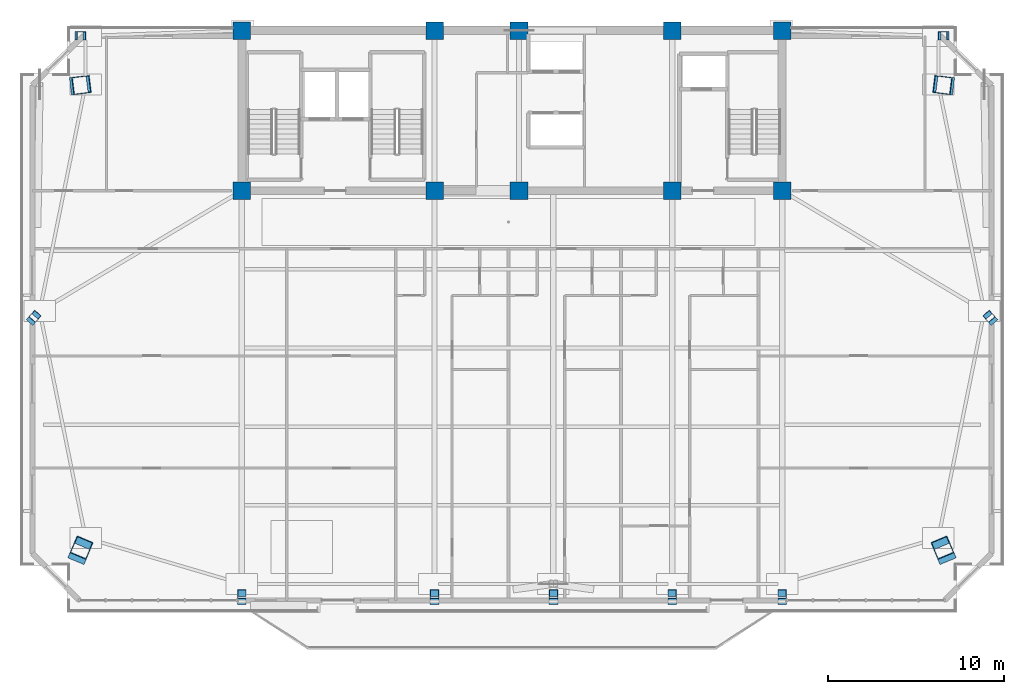
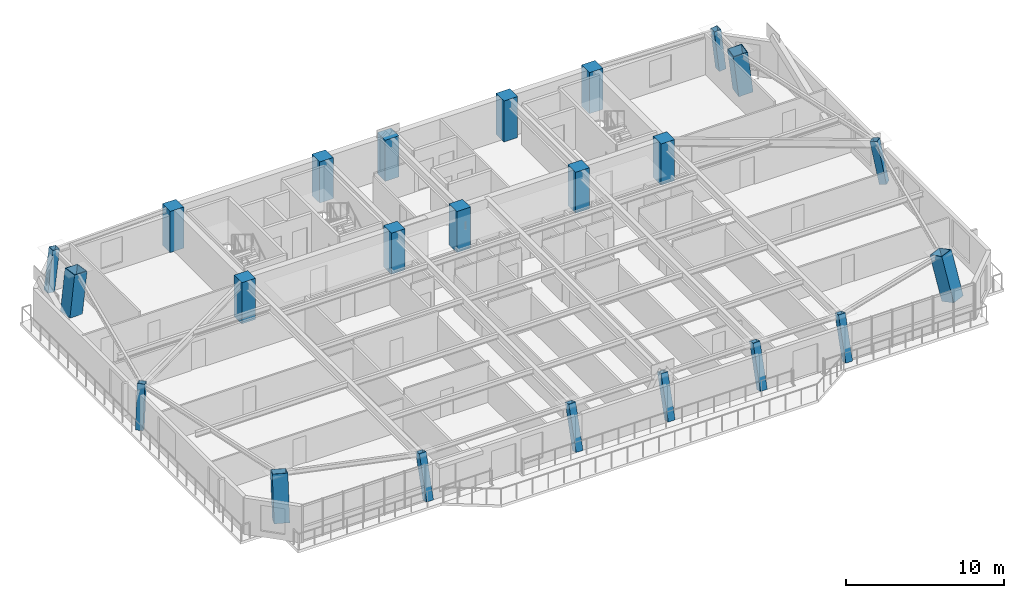
# One storey, part 1 of 18: 23 columns.
"""IFC4 building model written with IfcOpenShell, lengths in metres."""

import ifcopenshell
import ifcopenshell.guid

model = None  # the IFC model being written
_history = None  # IfcOwnerHistory: only IFC2X3 demands one
_inside = {}  # id of a spatial element -> (the spatial element, [elements in it])
_under = {}  # id of a project, library or spatial element -> (it, [spatial elements below it])
_declared = {}  # id of a project -> (the project, [libraries it declares])
_typed = {}  # id of a type object -> (the type object, [elements of that type])
_made_of = {}  # id of a material, layer set ... -> (it, [elements and type objects made of it])


def new_model(schema):
    """Start an empty IFC model of exactly this schema.

    Asked for "IFC4X3", IfcOpenShell would pick the latest addendum, in which some entities
    have other attributes; the version numbers below select the first issue.
    IFC2X3 requires an IfcOwnerHistory on every rooted entity: one is made here for all.
    """
    global model, _history
    if schema == "IFC4X3":
        model = ifcopenshell.file(schema_version=(4, 3, 0, 0))
    else:
        model = ifcopenshell.file(schema=schema)
    _inside.clear()
    _under.clear()
    _declared.clear()
    _typed.clear()
    _made_of.clear()
    _history = None
    if model.schema == "IFC2X3":
        org = make("IfcOrganization", Name="unknown")
        user = make(
            "IfcPersonAndOrganization",
            ThePerson=make("IfcPerson", FamilyName="unknown"),
            TheOrganization=org,
        )
        app = make(
            "IfcApplication",
            ApplicationDeveloper=org,
            Version="unknown",
            ApplicationFullName="unknown",
            ApplicationIdentifier="unknown",
        )
        _history = make(
            "IfcOwnerHistory",
            OwningUser=user,
            OwningApplication=app,
            ChangeAction="ADDED",
            CreationDate=0,
        )
    return model


def make(cls, **values):
    """One entity of the class cls with the attributes given. An attribute that is None is left unset."""
    return model.create_entity(
        cls, **{name: value for name, value in values.items() if value is not None}
    )


def rooted(cls, **values):
    """An entity with a GlobalId (a new one), such as an element, a storey or a relation."""
    return make(cls, GlobalId=ifcopenshell.guid.new(), OwnerHistory=_history, **values)


def si_unit(unit_type, name, prefix=None):
    """IfcSIUnit, for example si_unit("LENGTHUNIT", "METRE", prefix="MILLI")."""
    return make("IfcSIUnit", UnitType=unit_type, Prefix=prefix, Name=name)


def assignment(units):
    """IfcUnitAssignment: the units of a project."""
    return None if units is None else make("IfcUnitAssignment", Units=units)


def point(xyz):
    """IfcCartesianPoint."""
    return None if xyz is None else make("IfcCartesianPoint", Coordinates=xyz)


def direction(xyz):
    """IfcDirection."""
    return None if xyz is None else make("IfcDirection", DirectionRatios=xyz)


def frame(location, z_axis=None, x_axis=None):
    """IfcAxis2Placement3D, a coordinate frame: its origin and axes. An axis left out is left unset."""
    return make(
        "IfcAxis2Placement3D",
        Location=point(location),
        Axis=direction(z_axis),
        RefDirection=direction(x_axis),
    )


def frame_2d(location, x_axis=None):
    """IfcAxis2Placement2D, a coordinate frame in the plane: its origin and x axis."""
    return make(
        "IfcAxis2Placement2D", Location=point(location), RefDirection=direction(x_axis)
    )


def origin():
    """The frame at (0, 0, 0) with its axes left unset."""
    return frame((0.0, 0.0, 0.0))


def origin_2d():
    """The frame at (0, 0) in the plane with its x axis left unset."""
    return frame_2d((0.0, 0.0))


def place(relative_to, where):
    """IfcLocalPlacement: puts the frame where relative to a parent placement (None: the world)."""
    return make(
        "IfcLocalPlacement", PlacementRelTo=relative_to, RelativePlacement=where
    )


def context(
    kind, dimensions, precision=None, world=None, true_north=None, identifier=None
):
    """IfcGeometricRepresentationContext, for example the 3D "Model" context."""
    return make(
        "IfcGeometricRepresentationContext",
        ContextIdentifier=identifier,
        ContextType=kind,
        CoordinateSpaceDimension=dimensions,
        Precision=precision,
        WorldCoordinateSystem=world,
        TrueNorth=true_north,
    )


def subcontext(parent, identifier, kind, view, scale=None):
    """IfcGeometricRepresentationSubContext, for example "Body" below "Model"."""
    return make(
        "IfcGeometricRepresentationSubContext",
        ContextIdentifier=identifier,
        ContextType=kind,
        ParentContext=parent,
        TargetScale=scale,
        TargetView=view,
    )


def project(units=None, contexts=None):
    """IfcProject with its units and contexts."""
    return rooted(
        "IfcProject",
        Name="project",
        RepresentationContexts=contexts,
        UnitsInContext=assignment(units),
    )


def spatial(cls, under=None, at=None, **own):
    """A site, building, storey or space (cls), placed at a placement, below another one or the project."""
    s = rooted(cls, ObjectPlacement=at, **own)
    if under is not None:
        _under.setdefault(under.id(), (under, []))[1].append(s)
    return s


def profile(cls, at=None, kind="AREA", **sizes):
    """A parametric profile (cls). Its sizes go by their IFC names, for example OverallWidth=200.0."""
    return make(cls, ProfileType=kind, Position=at, **sizes)


def rectangle(**sizes):
    """IfcRectangleProfileDef."""
    return profile("IfcRectangleProfileDef", **sizes)


def hollow_rectangle(**sizes):
    """IfcRectangleHollowProfileDef."""
    return profile("IfcRectangleHollowProfileDef", **sizes)


def extrude(swept, where, along, depth):
    """IfcExtrudedAreaSolid: the profile swept, set in the frame where, extruded along a direction by depth."""
    return make(
        "IfcExtrudedAreaSolid",
        SweptArea=swept,
        Position=where,
        ExtrudedDirection=direction(along),
        Depth=depth,
    )


def shape(context_of_items, identifier, shape_type, items):
    """IfcShapeRepresentation: the items that make up one representation, for example the "Body"."""
    return make(
        "IfcShapeRepresentation",
        ContextOfItems=context_of_items,
        RepresentationIdentifier=identifier,
        RepresentationType=shape_type,
        Items=items,
    )


def source(mapping_origin, context_of_items, identifier, shape_type, items):
    """IfcRepresentationMap: a shape defined once, which mapped items show again and again."""
    return make(
        "IfcRepresentationMap",
        MappingOrigin=mapping_origin,
        MappedRepresentation=shape(context_of_items, identifier, shape_type, items),
    )


def transform(
    local_origin,
    x_axis=None,
    y_axis=None,
    z_axis=None,
    scale=None,
    scale2=None,
    scale3=None,
    uniform=True,
):
    """IfcCartesianTransformationOperator3D, or its non-uniform kind. x_axis, y_axis, z_axis: its Axis1, 2, 3."""
    if uniform:
        return make(
            "IfcCartesianTransformationOperator3D",
            Axis1=direction(x_axis),
            Axis2=direction(y_axis),
            LocalOrigin=point(local_origin),
            Scale=scale,
            Axis3=direction(z_axis),
        )
    return make(
        "IfcCartesianTransformationOperator3DnonUniform",
        Axis1=direction(x_axis),
        Axis2=direction(y_axis),
        LocalOrigin=point(local_origin),
        Scale=scale,
        Axis3=direction(z_axis),
        Scale2=scale2,
        Scale3=scale3,
    )


def mapped(mapping_source, mapping_target):
    """IfcMappedItem: shows the shape of a source again, moved by a transform."""
    return make(
        "IfcMappedItem", MappingSource=mapping_source, MappingTarget=mapping_target
    )


def material(Name=None, Category=None):
    """IfcMaterial."""
    return make("IfcMaterial", Name=Name, Category=Category)


def material_profile(
    of_material, cross_section, Name=None, Category=None, Priority=None
):
    """IfcMaterialProfile: a cross section and its material."""
    return make(
        "IfcMaterialProfile",
        Name=Name,
        Material=of_material,
        Profile=cross_section,
        Priority=Priority,
        Category=Category,
    )


def profile_set(profiles, Name=None, composite=None):
    """IfcMaterialProfileSet."""
    return make(
        "IfcMaterialProfileSet",
        Name=Name,
        MaterialProfiles=profiles,
        CompositeProfile=composite,
    )


def made_of(thing, what):
    """Note that an element or type object is made of a material, layer set ...; save() writes the relation."""
    if what is not None:
        _made_of.setdefault(what.id(), (what, []))[1].append(thing)
    return thing


def type_object(cls, material=None, **own):
    """A type object (cls), such as IfcWallType, which elements share."""
    return made_of(rooted(cls, **own), material)


def element(
    cls,
    number,
    at=None,
    inside=None,
    cuts=None,
    type_object=None,
    material=None,
    context=None,
    identifier="Body",
    shape_type=None,
    held_by="IfcProductDefinitionShape",
    body=None,
    shapes=None,
    **own,
):
    """One element of the class cls, such as IfcWall. Its Tag is "e" and its number.

    at: its placement. inside: the storey or other place that contains it. cuts: it is an
    opening in that element (IfcRelVoidsElement). A single representation is given by context,
    identifier, shape_type and body (its items); several are given by shapes. held_by: the class
    of the entity that holds the representations. save() writes the other relations.
    """
    e = rooted(cls, Tag="e%d" % number, ObjectPlacement=at, **own)
    if body is not None:
        shapes = [shape(context, identifier, shape_type, body)]
    if shapes is not None:
        e.Representation = make(held_by, Representations=shapes)
    if inside is not None:
        _inside.setdefault(inside.id(), (inside, []))[1].append(e)
    if cuts is not None:
        rooted(
            "IfcRelVoidsElement", RelatingBuildingElement=cuts, RelatedOpeningElement=e
        )
    if type_object is not None:
        _typed.setdefault(type_object.id(), (type_object, []))[1].append(e)
    return made_of(e, material)


def aggregate(whole, parts):
    """IfcRelAggregates: a whole, such as a stair, and the parts it consists of."""
    return rooted("IfcRelAggregates", RelatingObject=whole, RelatedObjects=parts)


def save(model, path):
    """Write the relations noted so far, then the file.

    IfcRelAggregates (storeys below a building ...), IfcRelContainedInSpatialStructure (elements
    in a storey), IfcRelDefinesByType, IfcRelAssociatesMaterial and IfcRelDeclares: one each for
    every whole, place, type object, material and project.
    """
    for whole, parts in _under.values():
        aggregate(whole, parts)
    for where, things in _inside.values():
        rooted(
            "IfcRelContainedInSpatialStructure",
            RelatedElements=things,
            RelatingStructure=where,
        )
    for kind, things in _typed.values():
        rooted("IfcRelDefinesByType", RelatedObjects=things, RelatingType=kind)
    for what, things in _made_of.values():
        rooted("IfcRelAssociatesMaterial", RelatedObjects=things, RelatingMaterial=what)
    for by, libraries in _declared.values():
        rooted("IfcRelDeclares", RelatingContext=by, RelatedDefinitions=libraries)
    model.write(path)


model = new_model("IFC4")

# Units and contexts
model_context = context("Model", 3, precision=1e-05, world=origin(), true_north=direction((0.0, 1.0)))
body_context = subcontext(model_context, "Body", "Model", "MODEL_VIEW")
ifc_project = project(units=[si_unit("LENGTHUNIT", "METRE"), si_unit("AREAUNIT", "SQUARE_METRE"), si_unit("VOLUMEUNIT", "CUBIC_METRE"), si_unit("PLANEANGLEUNIT", "RADIAN"), si_unit("MASSUNIT", "GRAM", prefix="KILO")], contexts=[model_context])

# Site, building, storey
site_placement = place(None, origin())
site = spatial("IfcSite", under=ifc_project, at=site_placement, CompositionType="ELEMENT")
building_placement = place(site_placement, origin())
building = spatial("IfcBuilding", under=site, at=building_placement, Name="Giltprow Tower", CompositionType="ELEMENT")
storey_placement = place(building_placement, frame((0.0, 0.0, 245.10009765625)))
storey = spatial("IfcBuildingStorey", under=building, at=storey_placement, Name="L62", CompositionType="ELEMENT", Elevation=245.10009765625)

# Columns
ifc_material_1 = material(Name="Concrete C50", Category="concrete")
ifc_material_profile_1 = material_profile(ifc_material_1, rectangle(XDim=1.0, YDim=1.0, at=origin_2d()), Name="RC 1000x1000")
ifc_profile_set_1 = profile_set([ifc_material_profile_1], Name="Concrete C50")
column_type_1 = type_object("IfcColumnType", Name="PIL-RC-1000-C50", PredefinedType="PILASTER", material=ifc_profile_set_1)
shared_shape_1 = source(origin(), body_context, "Body", "SweptSolid", [
    extrude(rectangle(XDim=1.0, YDim=1.0, at=origin_2d()), origin(), (0.0, 0.0, 1.0), 3.184814453125),
])
for number, where, z_axis, x_axis, name in (
    (1, (19.85009765625, 37.449951171875, 0.0), (0.0, 0.0, 1.0), (1.0, 0.0, 0.0), "L62 Core Boundary Pilaster 1-1"),
    (2, (19.85009765625, 46.550048828125, 0.0), (0.0, 0.0, 1.0), (1.0, 0.0, 0.0), "L62 Core Boundary Pilaster 1-2"),
    (3, (30.800048828125, 37.449951171875, 0.0), (0.0, 0.0, 1.0), (1.0, 0.0, 0.0), "L62 Core Boundary Pilaster 2-1"),
    (4, (30.800048828125, 46.550048828125, 0.0), (0.0, 0.0, 1.0), (1.0, 0.0, 0.0), "L62 Core Boundary Pilaster 2-2"),
    (5, (35.60009765625, 37.449951171875, 0.0), (0.0, 0.0, 1.0), (1.0, 0.0, 0.0), "L62 Core Boundary Pilaster 3-1"),
    (6, (35.60009765625, 46.550048828125, 0.0), (0.0, 0.0, 1.0), (1.0, 0.0, 0.0), "L62 Core Boundary Pilaster 3-2"),
    (7, (44.300048828125, 37.449951171875, 0.0), (0.0, 0.0, 1.0), (1.0, 0.0, 0.0), "L62 Core Boundary Pilaster 4-1"),
    (8, (44.300048828125, 46.550048828125, 0.0), (0.0, 0.0, 1.0), (1.0, 0.0, 0.0), "L62 Core Boundary Pilaster 4-2"),
    (9, (50.550048828125, 37.449951171875, 0.0), (0.0, 0.0, 1.0), (1.0, 0.0, 0.0), "L62 Core Boundary Pilaster 5-1"),
    (10, (50.550048828125, 46.550048828125, 0.0), (0.0, 0.0, 1.0), (1.0, 0.0, 0.0), "L62 Core Boundary Pilaster 5-2"),
):
    element("IfcColumn", number, at=place(storey_placement, frame(where, z_axis=z_axis, x_axis=x_axis)), inside=storey, type_object=column_type_1, Name=name, PredefinedType="PILASTER", context=body_context, shape_type="MappedRepresentation", body=[
        mapped(shared_shape_1, transform((0.0, 0.0, 0.0), x_axis=(1.0, 0.0, 0.0), y_axis=(0.0, 1.0, 0.0), z_axis=(0.0, 0.0, 1.0), scale=1.0)),
    ])
ifc_material_2 = material(Name="Structural steel Q420GJC", Category="steel")
ifc_material_profile_2 = material_profile(ifc_material_2, hollow_rectangle(XDim=1.0, YDim=1.0, WallThickness=0.044921875, at=origin_2d()), Name="BOX 1000x1000x45")
ifc_profile_set_2 = profile_set([ifc_material_profile_2], Name="Structural steel Q420GJC")
column_type_2 = type_object("IfcColumnType", Name="COL-BOX-1000x1000x45", PredefinedType="COLUMN", material=ifc_profile_set_2)
shared_shape_2 = source(origin(), body_context, "Body", "SweptSolid", [
    extrude(hollow_rectangle(XDim=1.0, YDim=1.0, WallThickness=0.044921875, at=origin_2d()), origin(), (0.0, 0.0, 1.0), 3.326171875),
])
column_1_placement = place(storey_placement, frame((10.60888671875, 16.843017578125, 0.0), z_axis=(0.111274962345, 0.266076344656, 0.957507838908), x_axis=(-0.922571641766, 0.38582582315, 0.0)))
element("IfcColumn", 11, at=column_1_placement, inside=storey, type_object=column_type_2, Name="L62 Mega-Column MC_SW", PredefinedType="COLUMN", context=body_context, shape_type="MappedRepresentation", body=[
    mapped(shared_shape_2, transform((0.0, 0.0, 0.0), x_axis=(1.0, 0.0, 0.0), y_axis=(0.0, 1.0, 0.0), z_axis=(0.0, 0.0, 1.0), scale=1.0)),
])
shared_shape_3 = source(origin(), body_context, "Body", "SweptSolid", [
    extrude(hollow_rectangle(XDim=1.0, YDim=1.0, WallThickness=0.044921875, at=origin_2d()), origin(), (0.0, 0.0, 1.0), 3.325927734375),
])
column_2_placement = place(storey_placement, frame((59.791015625, 16.843017578125, 0.0), z_axis=(-0.11091248257, 0.266087193458, 0.957546879629), x_axis=(-0.923024180924, -0.384741941345, 0.0)))
element("IfcColumn", 12, at=column_2_placement, inside=storey, type_object=column_type_2, Name="L62 Mega-Column MC_SE", PredefinedType="COLUMN", context=body_context, shape_type="MappedRepresentation", body=[
    mapped(shared_shape_3, transform((0.0, 0.0, 0.0), x_axis=(1.0, 0.0, 0.0), y_axis=(0.0, 1.0, 0.0), z_axis=(0.0, 0.0, 1.0), scale=1.0)),
])
shared_shape_4 = source(origin(), body_context, "Body", "SweptSolid", [
    extrude(hollow_rectangle(XDim=1.0, YDim=1.0, WallThickness=0.044921875, at=origin_2d()), origin(), (0.0, 0.0, 1.0), 3.20654296875),
])
for number, where, z_axis, x_axis, name in (
    (13, (10.60888671875, 43.43896484375, 0.0), (0.115424259294, 0.014389963725, 0.993212046499), (-0.123712481455, 0.992318105212, 0.0), "L62 Mega-Column MC_NW"),
    (14, (59.791015625, 43.43896484375, 0.0), (-0.115048619491, 0.014390595026, 0.993255619631), (-0.12411555831, -0.992267770405, 0.0), "L62 Mega-Column MC_NE"),
):
    element("IfcColumn", number, at=place(storey_placement, frame(where, z_axis=z_axis, x_axis=x_axis)), inside=storey, type_object=column_type_2, Name=name, PredefinedType="COLUMN", context=body_context, shape_type="MappedRepresentation", body=[
        mapped(shared_shape_4, transform((0.0, 0.0, 0.0), x_axis=(1.0, 0.0, 0.0), y_axis=(0.0, 1.0, 0.0), z_axis=(0.0, 0.0, 1.0), scale=1.0)),
    ])
ifc_material_3 = material(Name="Structural steel Q355B", Category="steel")
ifc_material_profile_3 = material_profile(ifc_material_3, hollow_rectangle(XDim=0.5, YDim=0.5, WallThickness=0.02392578125, at=origin_2d()), Name="BOX 500x500x24")
ifc_profile_set_3 = profile_set([ifc_material_profile_3], Name="Structural steel Q355B")
column_type_3 = type_object("IfcColumnType", Name="COL-BOX-500x500x24", PredefinedType="COLUMN", material=ifc_profile_set_3)
shared_shape_5 = source(origin(), body_context, "Body", "SweptSolid", [
    extrude(hollow_rectangle(XDim=0.5, YDim=0.5, WallThickness=0.02392578125, at=origin_2d()), origin(), (0.0, 0.0, 1.0), 3.318115234375),
])
for number, where, z_axis, x_axis, name in (
    (15, (19.85009765625, 14.181884765625, 0.0), (0.0, 0.280624348342, 0.959817678061), (-1.0, 0.0, 0.0), "L62 Perimeter Column S1"),
    (16, (30.800048828125, 14.181884765625, 0.0), (0.0, 0.280624348342, 0.959817678061), (-1.0, 0.0, 0.0), "L62 Perimeter Column S2"),
    (17, (37.550048828125, 14.181884765625, 0.0), (0.0, 0.280624348342, 0.959817678061), (-1.0, 0.0, 0.0), "L62 Perimeter Column S_MID"),
    (18, (44.300048828125, 14.181884765625, 0.0), (0.0, 0.280624348342, 0.959817678061), (-1.0, 0.0, 0.0), "L62 Perimeter Column S3"),
    (19, (50.550048828125, 14.181884765625, 0.0), (0.0, 0.280624348342, 0.959817678061), (-1.0, 0.0, 0.0), "L62 Perimeter Column S4"),
):
    element("IfcColumn", number, at=place(storey_placement, frame(where, z_axis=z_axis, x_axis=x_axis)), inside=storey, type_object=column_type_3, Name=name, PredefinedType="COLUMN", context=body_context, shape_type="MappedRepresentation", body=[
        mapped(shared_shape_5, transform((0.0, 0.0, 0.0), x_axis=(1.0, 0.0, 0.0), y_axis=(0.0, 1.0, 0.0), z_axis=(0.0, 0.0, 1.0), scale=1.0)),
    ])
shared_shape_6 = source(origin(), body_context, "Body", "SweptSolid", [
    extrude(hollow_rectangle(XDim=0.5, YDim=0.5, WallThickness=0.02392578125, at=origin_2d()), origin(), (0.0, 0.0, 1.0), 3.245361328125),
])
for number, where, z_axis, x_axis, name in (
    (20, (7.947998046875, 30.14111328125, 0.0), (0.128183322743, 0.143529213493, 0.981309533554), (-0.745854424638, 0.66610898301, 0.0), "L62 Perimeter Column W_MID"),
    (21, (62.451904296875, 30.14111328125, 0.0), (-0.127813351332, 0.143536123803, 0.981356779354), (-0.746825952664, -0.665019545899, 0.0), "L62 Perimeter Column E_MID"),
):
    element("IfcColumn", number, at=place(storey_placement, frame(where, z_axis=z_axis, x_axis=x_axis)), inside=storey, type_object=column_type_3, Name=name, PredefinedType="COLUMN", context=body_context, shape_type="MappedRepresentation", body=[
        mapped(shared_shape_6, transform((0.0, 0.0, 0.0), x_axis=(1.0, 0.0, 0.0), y_axis=(0.0, 1.0, 0.0), z_axis=(0.0, 0.0, 1.0), scale=1.0)),
    ])
shared_shape_7 = source(origin(), body_context, "Body", "SweptSolid", [
    extrude(hollow_rectangle(XDim=0.5, YDim=0.5, WallThickness=0.02392578125, at=origin_2d()), origin(), (0.0, 0.0, 1.0), 3.206298828125),
])
column_3_placement = place(storey_placement, frame((10.60888671875, 46.25, 0.0), z_axis=(0.115436211662, 0.0, 0.993314895205), x_axis=(0.0, 1.0, 0.0)))
element("IfcColumn", 22, at=column_3_placement, inside=storey, type_object=column_type_3, Name="L62 Perimeter Column N_W", PredefinedType="COLUMN", context=body_context, shape_type="MappedRepresentation", body=[
    mapped(shared_shape_7, transform((0.0, 0.0, 0.0), x_axis=(1.0, 0.0, 0.0), y_axis=(0.0, 1.0, 0.0), z_axis=(0.0, 0.0, 1.0), scale=1.0)),
])
shared_shape_8 = source(origin(), body_context, "Body", "SweptSolid", [
    extrude(hollow_rectangle(XDim=0.5, YDim=0.5, WallThickness=0.02392578125, at=origin_2d()), origin(), (0.0, 0.0, 1.0), 3.2060546875),
])
column_4_placement = place(storey_placement, frame((59.791015625, 46.25, 0.0), z_axis=(-0.115060534006, 0.0, 0.993358481876), x_axis=(0.0, -1.0, 0.0)))
element("IfcColumn", 23, at=column_4_placement, inside=storey, type_object=column_type_3, Name="L62 Perimeter Column N_E", PredefinedType="COLUMN", context=body_context, shape_type="MappedRepresentation", body=[
    mapped(shared_shape_8, transform((0.0, 0.0, 0.0), x_axis=(1.0, 0.0, 0.0), y_axis=(0.0, 1.0, 0.0), z_axis=(0.0, 0.0, 1.0), scale=1.0)),
])

save(model, "model.ifc")
